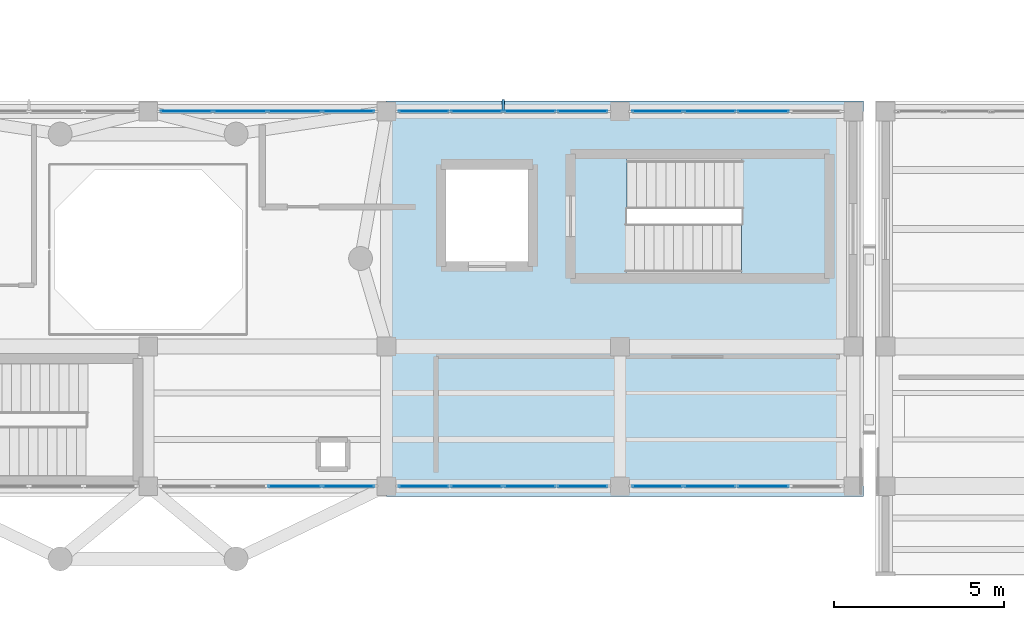
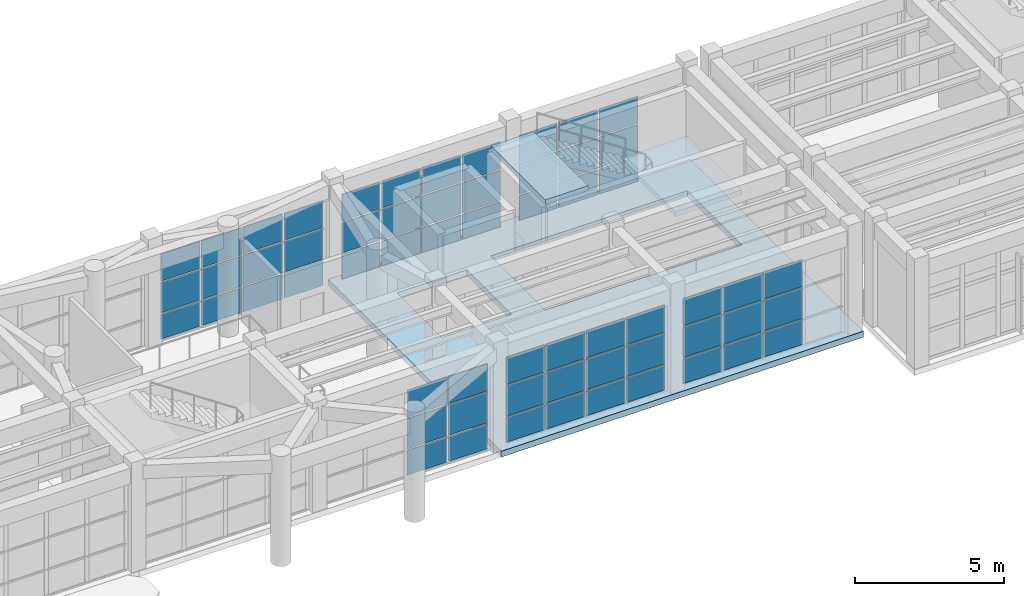
# One storey, part 54 of 85: 61 plates, 3 slabs, 7 elements without a shape of their own.
"""IFC4 building model written with IfcOpenShell, lengths in metres."""

import ifcopenshell
import ifcopenshell.guid

model = None  # the IFC model being written
_history = None  # IfcOwnerHistory: only IFC2X3 demands one
_inside = {}  # id of a spatial element -> (the spatial element, [elements in it])
_under = {}  # id of a project, library or spatial element -> (it, [spatial elements below it])
_declared = {}  # id of a project -> (the project, [libraries it declares])
_typed = {}  # id of a type object -> (the type object, [elements of that type])
_made_of = {}  # id of a material, layer set ... -> (it, [elements and type objects made of it])


def new_model(schema):
    """Start an empty IFC model of exactly this schema.

    Asked for "IFC4X3", IfcOpenShell would pick the latest addendum, in which some entities
    have other attributes; the version numbers below select the first issue.
    IFC2X3 requires an IfcOwnerHistory on every rooted entity: one is made here for all.
    """
    global model, _history
    if schema == "IFC4X3":
        model = ifcopenshell.file(schema_version=(4, 3, 0, 0))
    else:
        model = ifcopenshell.file(schema=schema)
    _inside.clear()
    _under.clear()
    _declared.clear()
    _typed.clear()
    _made_of.clear()
    _history = None
    if model.schema == "IFC2X3":
        org = make("IfcOrganization", Name="unknown")
        user = make(
            "IfcPersonAndOrganization",
            ThePerson=make("IfcPerson", FamilyName="unknown"),
            TheOrganization=org,
        )
        app = make(
            "IfcApplication",
            ApplicationDeveloper=org,
            Version="unknown",
            ApplicationFullName="unknown",
            ApplicationIdentifier="unknown",
        )
        _history = make(
            "IfcOwnerHistory",
            OwningUser=user,
            OwningApplication=app,
            ChangeAction="ADDED",
            CreationDate=0,
        )
    return model


def make(cls, **values):
    """One entity of the class cls with the attributes given. An attribute that is None is left unset."""
    return model.create_entity(
        cls, **{name: value for name, value in values.items() if value is not None}
    )


def rooted(cls, **values):
    """An entity with a GlobalId (a new one), such as an element, a storey or a relation."""
    return make(cls, GlobalId=ifcopenshell.guid.new(), OwnerHistory=_history, **values)


def si_unit(unit_type, name, prefix=None):
    """IfcSIUnit, for example si_unit("LENGTHUNIT", "METRE", prefix="MILLI")."""
    return make("IfcSIUnit", UnitType=unit_type, Prefix=prefix, Name=name)


def assignment(units):
    """IfcUnitAssignment: the units of a project."""
    return None if units is None else make("IfcUnitAssignment", Units=units)


def point(xyz):
    """IfcCartesianPoint."""
    return None if xyz is None else make("IfcCartesianPoint", Coordinates=xyz)


def direction(xyz):
    """IfcDirection."""
    return None if xyz is None else make("IfcDirection", DirectionRatios=xyz)


def frame(location, z_axis=None, x_axis=None):
    """IfcAxis2Placement3D, a coordinate frame: its origin and axes. An axis left out is left unset."""
    return make(
        "IfcAxis2Placement3D",
        Location=point(location),
        Axis=direction(z_axis),
        RefDirection=direction(x_axis),
    )


def frame_2d(location, x_axis=None):
    """IfcAxis2Placement2D, a coordinate frame in the plane: its origin and x axis."""
    return make(
        "IfcAxis2Placement2D", Location=point(location), RefDirection=direction(x_axis)
    )


def origin():
    """The frame at (0, 0, 0) with its axes left unset."""
    return frame((0.0, 0.0, 0.0))


def origin_2d():
    """The frame at (0, 0) in the plane with its x axis left unset."""
    return frame_2d((0.0, 0.0))


def place(relative_to, where):
    """IfcLocalPlacement: puts the frame where relative to a parent placement (None: the world)."""
    return make(
        "IfcLocalPlacement", PlacementRelTo=relative_to, RelativePlacement=where
    )


def context(
    kind, dimensions, precision=None, world=None, true_north=None, identifier=None
):
    """IfcGeometricRepresentationContext, for example the 3D "Model" context."""
    return make(
        "IfcGeometricRepresentationContext",
        ContextIdentifier=identifier,
        ContextType=kind,
        CoordinateSpaceDimension=dimensions,
        Precision=precision,
        WorldCoordinateSystem=world,
        TrueNorth=true_north,
    )


def subcontext(parent, identifier, kind, view, scale=None):
    """IfcGeometricRepresentationSubContext, for example "Body" below "Model"."""
    return make(
        "IfcGeometricRepresentationSubContext",
        ContextIdentifier=identifier,
        ContextType=kind,
        ParentContext=parent,
        TargetScale=scale,
        TargetView=view,
    )


def project(units=None, contexts=None):
    """IfcProject with its units and contexts."""
    return rooted(
        "IfcProject",
        Name="project",
        RepresentationContexts=contexts,
        UnitsInContext=assignment(units),
    )


def spatial(cls, under=None, at=None, **own):
    """A site, building, storey or space (cls), placed at a placement, below another one or the project."""
    s = rooted(cls, ObjectPlacement=at, **own)
    if under is not None:
        _under.setdefault(under.id(), (under, []))[1].append(s)
    return s


def polyline(points):
    """IfcPolyline through the points."""
    return make("IfcPolyline", Points=[point(p) for p in points])


def profile(cls, at=None, kind="AREA", **sizes):
    """A parametric profile (cls). Its sizes go by their IFC names, for example OverallWidth=200.0."""
    return make(cls, ProfileType=kind, Position=at, **sizes)


def rectangle(**sizes):
    """IfcRectangleProfileDef."""
    return profile("IfcRectangleProfileDef", **sizes)


def outline(outer, holes=None, kind="AREA"):
    """IfcArbitraryClosedProfileDef: a profile drawn as a closed curve; with holes, ...WithVoids."""
    if holes is None:
        return make("IfcArbitraryClosedProfileDef", ProfileType=kind, OuterCurve=outer)
    return make(
        "IfcArbitraryProfileDefWithVoids",
        ProfileType=kind,
        OuterCurve=outer,
        InnerCurves=holes,
    )


def extrude(swept, where, along, depth):
    """IfcExtrudedAreaSolid: the profile swept, set in the frame where, extruded along a direction by depth."""
    return make(
        "IfcExtrudedAreaSolid",
        SweptArea=swept,
        Position=where,
        ExtrudedDirection=direction(along),
        Depth=depth,
    )


def shape(context_of_items, identifier, shape_type, items):
    """IfcShapeRepresentation: the items that make up one representation, for example the "Body"."""
    return make(
        "IfcShapeRepresentation",
        ContextOfItems=context_of_items,
        RepresentationIdentifier=identifier,
        RepresentationType=shape_type,
        Items=items,
    )


def material(Name=None, Category=None):
    """IfcMaterial."""
    return make("IfcMaterial", Name=Name, Category=Category)


def layer(
    of_material, thickness, ventilated=None, Name=None, Category=None, Priority=None
):
    """IfcMaterialLayer: one layer of a wall or slab, of a material (None: an air gap)."""
    return make(
        "IfcMaterialLayer",
        Material=of_material,
        LayerThickness=thickness,
        IsVentilated=ventilated,
        Name=Name,
        Category=Category,
        Priority=Priority,
    )


def layer_set(layers, Name=None):
    """IfcMaterialLayerSet."""
    return make("IfcMaterialLayerSet", MaterialLayers=layers, LayerSetName=Name)


def made_of(thing, what):
    """Note that an element or type object is made of a material, layer set ...; save() writes the relation."""
    if what is not None:
        _made_of.setdefault(what.id(), (what, []))[1].append(thing)
    return thing


def type_object(cls, material=None, **own):
    """A type object (cls), such as IfcWallType, which elements share."""
    return made_of(rooted(cls, **own), material)


def element(
    cls,
    number,
    at=None,
    inside=None,
    cuts=None,
    type_object=None,
    material=None,
    context=None,
    identifier="Body",
    shape_type=None,
    held_by="IfcProductDefinitionShape",
    body=None,
    shapes=None,
    **own,
):
    """One element of the class cls, such as IfcWall. Its Tag is "e" and its number.

    at: its placement. inside: the storey or other place that contains it. cuts: it is an
    opening in that element (IfcRelVoidsElement). A single representation is given by context,
    identifier, shape_type and body (its items); several are given by shapes. held_by: the class
    of the entity that holds the representations. save() writes the other relations.
    """
    e = rooted(cls, Tag="e%d" % number, ObjectPlacement=at, **own)
    if body is not None:
        shapes = [shape(context, identifier, shape_type, body)]
    if shapes is not None:
        e.Representation = make(held_by, Representations=shapes)
    if inside is not None:
        _inside.setdefault(inside.id(), (inside, []))[1].append(e)
    if cuts is not None:
        rooted(
            "IfcRelVoidsElement", RelatingBuildingElement=cuts, RelatedOpeningElement=e
        )
    if type_object is not None:
        _typed.setdefault(type_object.id(), (type_object, []))[1].append(e)
    return made_of(e, material)


def aggregate(whole, parts):
    """IfcRelAggregates: a whole, such as a stair, and the parts it consists of."""
    return rooted("IfcRelAggregates", RelatingObject=whole, RelatedObjects=parts)


def save(model, path):
    """Write the relations noted so far, then the file.

    IfcRelAggregates (storeys below a building ...), IfcRelContainedInSpatialStructure (elements
    in a storey), IfcRelDefinesByType, IfcRelAssociatesMaterial and IfcRelDeclares: one each for
    every whole, place, type object, material and project.
    """
    for whole, parts in _under.values():
        aggregate(whole, parts)
    for where, things in _inside.values():
        rooted(
            "IfcRelContainedInSpatialStructure",
            RelatedElements=things,
            RelatingStructure=where,
        )
    for kind, things in _typed.values():
        rooted("IfcRelDefinesByType", RelatedObjects=things, RelatingType=kind)
    for what, things in _made_of.values():
        rooted("IfcRelAssociatesMaterial", RelatedObjects=things, RelatingMaterial=what)
    for by, libraries in _declared.values():
        rooted("IfcRelDeclares", RelatingContext=by, RelatedDefinitions=libraries)
    model.write(path)


model = new_model("IFC4")

# Units and contexts
model_context = context("Model", 3, precision=1e-05, world=origin(), true_north=direction((0.0, 1.0)))
body_context = subcontext(model_context, "Body", "Model", "MODEL_VIEW")
ifc_project = project(units=[si_unit("LENGTHUNIT", "METRE"), si_unit("AREAUNIT", "SQUARE_METRE"), si_unit("VOLUMEUNIT", "CUBIC_METRE"), si_unit("PLANEANGLEUNIT", "RADIAN"), si_unit("MASSUNIT", "GRAM", prefix="KILO")], contexts=[model_context])

# Site, building, storey
site_placement = place(None, origin())
site = spatial("IfcSite", under=ifc_project, at=site_placement, CompositionType="ELEMENT")
building_placement = place(site_placement, origin())
building = spatial("IfcBuilding", under=site, at=building_placement, Name="Candilejo Ridge Gondola Terminal", CompositionType="ELEMENT")
storey_placement = place(building_placement, frame((0.0, 0.0, 4.5)))
storey = spatial("IfcBuildingStorey", under=building, at=storey_placement, Name="L01", CompositionType="ELEMENT", Elevation=4.5)

# Curtain wall, plates
ifc_material_1 = material(Name="Anodised aluminium AA 6063-T6", Category="aluminium")
ifc_layer_1 = layer(ifc_material_1, 0.169921875)
ifc_layer_set_1 = layer_set([ifc_layer_1], Name="ARC-CW-DRUM-3400-640X359")
curtain_wall_type_1 = type_object("IfcCurtainWallType", Name="ARC-CW-DRUM-3400-640X359", PredefinedType="NOTDEFINED", material=ifc_layer_set_1)
curtain_wall_1_placement = place(storey_placement, origin())
curtain_wall_1 = element("IfcCurtainWall", 1, at=curtain_wall_1_placement, inside=storey, type_object=curtain_wall_type_1, Name="Curtain wall V2 L01-040", PredefinedType="NOTDEFINED")
ifc_material_2 = material(Name="Low-E laminated double glazing 6+12A+6+1.52PVB+6 mm", Category="glass")
ifc_layer_2 = layer(ifc_material_2, 0.028076171875)
ifc_layer_set_2 = layer_set([ifc_layer_2], Name="ARC-CW-GLAZ-PANEL")
plate_type_1 = type_object("IfcPlateType", Name="ARC-CW-GLAZ-PANEL", PredefinedType="CURTAIN_PANEL", material=ifc_layer_set_2)
plate_1_placement = place(storey_placement, frame((66.46630859375, 36.699951171875, 0.06005859375), z_axis=(0.0, 0.0, 1.0), x_axis=(1.0, 0.0, 0.0)))
plate_1 = element("IfcPlate", 2, at=plate_1_placement, type_object=plate_type_1, Name="CW-64X35 panel 1.1", PredefinedType="CURTAIN_PANEL", context=body_context, shape_type="SweptSolid", body=[
    extrude(rectangle(XDim=1.50244140625, YDim=0.028076171875, at=origin_2d()), origin(), (0.0, 0.0, 1.0), 1.010009765625),
])
plate_2_placement = place(storey_placement, frame((66.46630859375, 36.699951171875, 1.1298828125), z_axis=(0.0, 0.0, 1.0), x_axis=(1.0, 0.0, 0.0)))
plate_2 = element("IfcPlate", 3, at=plate_2_placement, type_object=plate_type_1, Name="CW-64X35 panel 1.2", PredefinedType="CURTAIN_PANEL", context=body_context, shape_type="SweptSolid", body=[
    extrude(rectangle(XDim=1.50244140625, YDim=0.028076171875, at=origin_2d()), origin(), (0.0, 0.0, 1.0), 1.239990234375),
])
plate_3_placement = place(storey_placement, frame((66.46630859375, 36.699951171875, 2.429931640625), z_axis=(0.0, 0.0, 1.0), x_axis=(1.0, 0.0, 0.0)))
plate_3 = element("IfcPlate", 4, at=plate_3_placement, type_object=plate_type_1, Name="CW-64X35 panel 1.3", PredefinedType="CURTAIN_PANEL", context=body_context, shape_type="SweptSolid", body=[
    extrude(rectangle(XDim=1.50244140625, YDim=0.028076171875, at=origin_2d()), origin(), (0.0, 0.0, 1.0), 1.10009765625),
])
plate_4_placement = place(storey_placement, frame((68.050048828125, 36.699951171875, 0.06005859375), z_axis=(0.0, 0.0, 1.0), x_axis=(1.0, 0.0, 0.0)))
plate_4 = element("IfcPlate", 5, at=plate_4_placement, type_object=plate_type_1, Name="CW-64X35 panel 2.1", PredefinedType="CURTAIN_PANEL", context=body_context, shape_type="SweptSolid", body=[
    extrude(rectangle(XDim=1.534912109375, YDim=0.028076171875, at=origin_2d()), origin(), (0.0, 0.0, 1.0), 1.010009765625),
])
plate_5_placement = place(storey_placement, frame((68.050048828125, 36.699951171875, 1.1298828125), z_axis=(0.0, 0.0, 1.0), x_axis=(1.0, 0.0, 0.0)))
plate_5 = element("IfcPlate", 6, at=plate_5_placement, type_object=plate_type_1, Name="CW-64X35 panel 2.2", PredefinedType="CURTAIN_PANEL", context=body_context, shape_type="SweptSolid", body=[
    extrude(rectangle(XDim=1.534912109375, YDim=0.028076171875, at=origin_2d()), origin(), (0.0, 0.0, 1.0), 1.239990234375),
])
plate_6_placement = place(storey_placement, frame((68.050048828125, 36.699951171875, 2.429931640625), z_axis=(0.0, 0.0, 1.0), x_axis=(1.0, 0.0, 0.0)))
plate_6 = element("IfcPlate", 7, at=plate_6_placement, type_object=plate_type_1, Name="CW-64X35 panel 2.3", PredefinedType="CURTAIN_PANEL", context=body_context, shape_type="SweptSolid", body=[
    extrude(rectangle(XDim=1.534912109375, YDim=0.028076171875, at=origin_2d()), origin(), (0.0, 0.0, 1.0), 1.10009765625),
])
plate_7_placement = place(storey_placement, frame((69.64990234375, 36.699951171875, 0.06005859375), z_axis=(0.0, 0.0, 1.0), x_axis=(1.0, 0.0, 0.0)))
plate_7 = element("IfcPlate", 8, at=plate_7_placement, type_object=plate_type_1, Name="CW-64X35 panel 3.1", PredefinedType="CURTAIN_PANEL", context=body_context, shape_type="SweptSolid", body=[
    extrude(rectangle(XDim=1.534912109375, YDim=0.028076171875, at=origin_2d()), origin(), (0.0, 0.0, 1.0), 1.010009765625),
])
plate_8_placement = place(storey_placement, frame((69.64990234375, 36.699951171875, 1.1298828125), z_axis=(0.0, 0.0, 1.0), x_axis=(1.0, 0.0, 0.0)))
plate_8 = element("IfcPlate", 9, at=plate_8_placement, type_object=plate_type_1, Name="CW-64X35 panel 3.2", PredefinedType="CURTAIN_PANEL", context=body_context, shape_type="SweptSolid", body=[
    extrude(rectangle(XDim=1.534912109375, YDim=0.028076171875, at=origin_2d()), origin(), (0.0, 0.0, 1.0), 1.239990234375),
])
plate_9_placement = place(storey_placement, frame((69.64990234375, 36.699951171875, 2.429931640625), z_axis=(0.0, 0.0, 1.0), x_axis=(1.0, 0.0, 0.0)))
plate_9 = element("IfcPlate", 10, at=plate_9_placement, type_object=plate_type_1, Name="CW-64X35 panel 3.3", PredefinedType="CURTAIN_PANEL", context=body_context, shape_type="SweptSolid", body=[
    extrude(rectangle(XDim=1.534912109375, YDim=0.028076171875, at=origin_2d()), origin(), (0.0, 0.0, 1.0), 1.10009765625),
])
plate_10_placement = place(storey_placement, frame((71.233642578125, 36.699951171875, 0.06005859375), z_axis=(0.0, 0.0, 1.0), x_axis=(1.0, 0.0, 0.0)))
plate_10 = element("IfcPlate", 11, at=plate_10_placement, type_object=plate_type_1, Name="CW-64X35 panel 4.1", PredefinedType="CURTAIN_PANEL", context=body_context, shape_type="SweptSolid", body=[
    extrude(rectangle(XDim=1.50244140625, YDim=0.028076171875, at=origin_2d()), origin(), (0.0, 0.0, 1.0), 1.010009765625),
])
plate_11_placement = place(storey_placement, frame((71.233642578125, 36.699951171875, 1.1298828125), z_axis=(0.0, 0.0, 1.0), x_axis=(1.0, 0.0, 0.0)))
plate_11 = element("IfcPlate", 12, at=plate_11_placement, type_object=plate_type_1, Name="CW-64X35 panel 4.2", PredefinedType="CURTAIN_PANEL", context=body_context, shape_type="SweptSolid", body=[
    extrude(rectangle(XDim=1.50244140625, YDim=0.028076171875, at=origin_2d()), origin(), (0.0, 0.0, 1.0), 1.239990234375),
])
plate_12_placement = place(storey_placement, frame((71.233642578125, 36.699951171875, 2.429931640625), z_axis=(0.0, 0.0, 1.0), x_axis=(1.0, 0.0, 0.0)))
plate_12 = element("IfcPlate", 13, at=plate_12_placement, type_object=plate_type_1, Name="CW-64X35 panel 4.3", PredefinedType="CURTAIN_PANEL", context=body_context, shape_type="SweptSolid", body=[
    extrude(rectangle(XDim=1.50244140625, YDim=0.028076171875, at=origin_2d()), origin(), (0.0, 0.0, 1.0), 1.10009765625),
])
aggregate(curtain_wall_1, [plate_1, plate_2, plate_3, plate_4, plate_5, plate_6, plate_7, plate_8, plate_9, plate_10, plate_11, plate_12])

curtain_wall_2_placement = place(storey_placement, origin())
curtain_wall_2 = element("IfcCurtainWall", 14, at=curtain_wall_2_placement, inside=storey, type_object=curtain_wall_type_1, Name="Curtain wall V2 L01-041", PredefinedType="NOTDEFINED")
plate_13_placement = place(storey_placement, frame((69.64990234375, 25.699951171875, 0.06005859375), z_axis=(0.0, 0.0, 1.0), x_axis=(1.0, 0.0, 0.0)))
plate_13 = element("IfcPlate", 15, at=plate_13_placement, type_object=plate_type_1, Name="CW-64X35 panel 3.1", PredefinedType="CURTAIN_PANEL", context=body_context, shape_type="SweptSolid", body=[
    extrude(rectangle(XDim=1.534912109375, YDim=0.028076171875, at=origin_2d()), origin(), (0.0, 0.0, 1.0), 1.010009765625),
])
plate_14_placement = place(storey_placement, frame((69.64990234375, 25.699951171875, 1.1298828125), z_axis=(0.0, 0.0, 1.0), x_axis=(1.0, 0.0, 0.0)))
plate_14 = element("IfcPlate", 16, at=plate_14_placement, type_object=plate_type_1, Name="CW-64X35 panel 3.2", PredefinedType="CURTAIN_PANEL", context=body_context, shape_type="SweptSolid", body=[
    extrude(rectangle(XDim=1.534912109375, YDim=0.028076171875, at=origin_2d()), origin(), (0.0, 0.0, 1.0), 1.239990234375),
])
plate_15_placement = place(storey_placement, frame((69.64990234375, 25.699951171875, 2.429931640625), z_axis=(0.0, 0.0, 1.0), x_axis=(1.0, 0.0, 0.0)))
plate_15 = element("IfcPlate", 17, at=plate_15_placement, type_object=plate_type_1, Name="CW-64X35 panel 3.3", PredefinedType="CURTAIN_PANEL", context=body_context, shape_type="SweptSolid", body=[
    extrude(rectangle(XDim=1.534912109375, YDim=0.028076171875, at=origin_2d()), origin(), (0.0, 0.0, 1.0), 1.10009765625),
])
plate_16_placement = place(storey_placement, frame((71.233642578125, 25.699951171875, 0.06005859375), z_axis=(0.0, 0.0, 1.0), x_axis=(1.0, 0.0, 0.0)))
plate_16 = element("IfcPlate", 18, at=plate_16_placement, type_object=plate_type_1, Name="CW-64X35 panel 4.1", PredefinedType="CURTAIN_PANEL", context=body_context, shape_type="SweptSolid", body=[
    extrude(rectangle(XDim=1.50244140625, YDim=0.028076171875, at=origin_2d()), origin(), (0.0, 0.0, 1.0), 1.010009765625),
])
plate_17_placement = place(storey_placement, frame((71.233642578125, 25.699951171875, 1.1298828125), z_axis=(0.0, 0.0, 1.0), x_axis=(1.0, 0.0, 0.0)))
plate_17 = element("IfcPlate", 19, at=plate_17_placement, type_object=plate_type_1, Name="CW-64X35 panel 4.2", PredefinedType="CURTAIN_PANEL", context=body_context, shape_type="SweptSolid", body=[
    extrude(rectangle(XDim=1.50244140625, YDim=0.028076171875, at=origin_2d()), origin(), (0.0, 0.0, 1.0), 1.239990234375),
])
plate_18_placement = place(storey_placement, frame((71.233642578125, 25.699951171875, 2.429931640625), z_axis=(0.0, 0.0, 1.0), x_axis=(1.0, 0.0, 0.0)))
plate_18 = element("IfcPlate", 20, at=plate_18_placement, type_object=plate_type_1, Name="CW-64X35 panel 4.3", PredefinedType="CURTAIN_PANEL", context=body_context, shape_type="SweptSolid", body=[
    extrude(rectangle(XDim=1.50244140625, YDim=0.028076171875, at=origin_2d()), origin(), (0.0, 0.0, 1.0), 1.10009765625),
])
aggregate(curtain_wall_2, [plate_13, plate_14, plate_15, plate_16, plate_17, plate_18])

ifc_material_3 = material(Name="Anodised aluminium AA 6063-T6", Category="aluminium")
ifc_layer_3 = layer(ifc_material_3, 0.169921875)
ifc_layer_set_3 = layer_set([ifc_layer_3], Name="ARC-CW-DRUM-3400-625X359")
curtain_wall_type_2 = type_object("IfcCurtainWallType", Name="ARC-CW-DRUM-3400-625X359", PredefinedType="NOTDEFINED", material=ifc_layer_set_3)
curtain_wall_3_placement = place(storey_placement, origin())
curtain_wall_3 = element("IfcCurtainWall", 21, at=curtain_wall_3_placement, inside=storey, type_object=curtain_wall_type_2, Name="Curtain wall V2 L01-042", PredefinedType="NOTDEFINED")
plate_19_placement = place(storey_placement, frame((73.447509765625, 36.699951171875, 0.06005859375), z_axis=(0.0, 0.0, 1.0), x_axis=(1.0, 0.0, 0.0)))
plate_19 = element("IfcPlate", 22, at=plate_19_placement, type_object=plate_type_1, Name="CW-62X35 panel 1.1", PredefinedType="CURTAIN_PANEL", context=body_context, shape_type="SweptSolid", body=[
    extrude(rectangle(XDim=1.465087890625, YDim=0.028076171875, at=origin_2d()), origin(), (0.0, 0.0, 1.0), 1.010009765625),
])
plate_20_placement = place(storey_placement, frame((73.447509765625, 36.699951171875, 1.1298828125), z_axis=(0.0, 0.0, 1.0), x_axis=(1.0, 0.0, 0.0)))
plate_20 = element("IfcPlate", 23, at=plate_20_placement, type_object=plate_type_1, Name="CW-62X35 panel 1.2", PredefinedType="CURTAIN_PANEL", context=body_context, shape_type="SweptSolid", body=[
    extrude(rectangle(XDim=1.465087890625, YDim=0.028076171875, at=origin_2d()), origin(), (0.0, 0.0, 1.0), 1.239990234375),
])
plate_21_placement = place(storey_placement, frame((73.447509765625, 36.699951171875, 2.429931640625), z_axis=(0.0, 0.0, 1.0), x_axis=(1.0, 0.0, 0.0)))
plate_21 = element("IfcPlate", 24, at=plate_21_placement, type_object=plate_type_1, Name="CW-62X35 panel 1.3", PredefinedType="CURTAIN_PANEL", context=body_context, shape_type="SweptSolid", body=[
    extrude(rectangle(XDim=1.465087890625, YDim=0.028076171875, at=origin_2d()), origin(), (0.0, 0.0, 1.0), 1.10009765625),
])
plate_22_placement = place(storey_placement, frame((74.99365234375, 36.699951171875, 0.06005859375), z_axis=(0.0, 0.0, 1.0), x_axis=(1.0, 0.0, 0.0)))
plate_22 = element("IfcPlate", 25, at=plate_22_placement, type_object=plate_type_1, Name="CW-62X35 panel 2.1", PredefinedType="CURTAIN_PANEL", context=body_context, shape_type="SweptSolid", body=[
    extrude(rectangle(XDim=1.49755859375, YDim=0.028076171875, at=origin_2d()), origin(), (0.0, 0.0, 1.0), 1.010009765625),
])
plate_23_placement = place(storey_placement, frame((74.99365234375, 36.699951171875, 1.1298828125), z_axis=(0.0, 0.0, 1.0), x_axis=(1.0, 0.0, 0.0)))
plate_23 = element("IfcPlate", 26, at=plate_23_placement, type_object=plate_type_1, Name="CW-62X35 panel 2.2", PredefinedType="CURTAIN_PANEL", context=body_context, shape_type="SweptSolid", body=[
    extrude(rectangle(XDim=1.49755859375, YDim=0.028076171875, at=origin_2d()), origin(), (0.0, 0.0, 1.0), 1.239990234375),
])
plate_24_placement = place(storey_placement, frame((74.99365234375, 36.699951171875, 2.429931640625), z_axis=(0.0, 0.0, 1.0), x_axis=(1.0, 0.0, 0.0)))
plate_24 = element("IfcPlate", 27, at=plate_24_placement, type_object=plate_type_1, Name="CW-62X35 panel 2.3", PredefinedType="CURTAIN_PANEL", context=body_context, shape_type="SweptSolid", body=[
    extrude(rectangle(XDim=1.49755859375, YDim=0.028076171875, at=origin_2d()), origin(), (0.0, 0.0, 1.0), 1.10009765625),
])
plate_25_placement = place(storey_placement, frame((76.55615234375, 36.699951171875, 0.06005859375), z_axis=(0.0, 0.0, 1.0), x_axis=(1.0, 0.0, 0.0)))
plate_25 = element("IfcPlate", 28, at=plate_25_placement, type_object=plate_type_1, Name="CW-62X35 panel 3.1", PredefinedType="CURTAIN_PANEL", context=body_context, shape_type="SweptSolid", body=[
    extrude(rectangle(XDim=1.49755859375, YDim=0.028076171875, at=origin_2d()), origin(), (0.0, 0.0, 1.0), 1.010009765625),
])
plate_26_placement = place(storey_placement, frame((76.55615234375, 36.699951171875, 1.1298828125), z_axis=(0.0, 0.0, 1.0), x_axis=(1.0, 0.0, 0.0)))
plate_26 = element("IfcPlate", 29, at=plate_26_placement, type_object=plate_type_1, Name="CW-62X35 panel 3.2", PredefinedType="CURTAIN_PANEL", context=body_context, shape_type="SweptSolid", body=[
    extrude(rectangle(XDim=1.49755859375, YDim=0.028076171875, at=origin_2d()), origin(), (0.0, 0.0, 1.0), 1.239990234375),
])
plate_27_placement = place(storey_placement, frame((76.55615234375, 36.699951171875, 2.429931640625), z_axis=(0.0, 0.0, 1.0), x_axis=(1.0, 0.0, 0.0)))
plate_27 = element("IfcPlate", 30, at=plate_27_placement, type_object=plate_type_1, Name="CW-62X35 panel 3.3", PredefinedType="CURTAIN_PANEL", context=body_context, shape_type="SweptSolid", body=[
    extrude(rectangle(XDim=1.49755859375, YDim=0.028076171875, at=origin_2d()), origin(), (0.0, 0.0, 1.0), 1.10009765625),
])
plate_28_placement = place(storey_placement, frame((78.1025390625, 36.699951171875, 0.06005859375), z_axis=(0.0, 0.0, 1.0), x_axis=(1.0, 0.0, 0.0)))
plate_28 = element("IfcPlate", 31, at=plate_28_placement, type_object=plate_type_1, Name="CW-62X35 panel 4.1", PredefinedType="CURTAIN_PANEL", context=body_context, shape_type="SweptSolid", body=[
    extrude(rectangle(XDim=1.465087890625, YDim=0.028076171875, at=origin_2d()), origin(), (0.0, 0.0, 1.0), 1.010009765625),
])
plate_29_placement = place(storey_placement, frame((78.1025390625, 36.699951171875, 1.1298828125), z_axis=(0.0, 0.0, 1.0), x_axis=(1.0, 0.0, 0.0)))
plate_29 = element("IfcPlate", 32, at=plate_29_placement, type_object=plate_type_1, Name="CW-62X35 panel 4.2", PredefinedType="CURTAIN_PANEL", context=body_context, shape_type="SweptSolid", body=[
    extrude(rectangle(XDim=1.465087890625, YDim=0.028076171875, at=origin_2d()), origin(), (0.0, 0.0, 1.0), 1.239990234375),
])
plate_30_placement = place(storey_placement, frame((78.1025390625, 36.699951171875, 2.429931640625), z_axis=(0.0, 0.0, 1.0), x_axis=(1.0, 0.0, 0.0)))
plate_30 = element("IfcPlate", 33, at=plate_30_placement, type_object=plate_type_1, Name="CW-62X35 panel 4.3", PredefinedType="CURTAIN_PANEL", context=body_context, shape_type="SweptSolid", body=[
    extrude(rectangle(XDim=1.465087890625, YDim=0.028076171875, at=origin_2d()), origin(), (0.0, 0.0, 1.0), 1.10009765625),
])
aggregate(curtain_wall_3, [plate_19, plate_20, plate_21, plate_22, plate_23, plate_24, plate_25, plate_26, plate_27, plate_28, plate_29, plate_30])

curtain_wall_4_placement = place(storey_placement, origin())
curtain_wall_4 = element("IfcCurtainWall", 34, at=curtain_wall_4_placement, inside=storey, type_object=curtain_wall_type_2, Name="Curtain wall V2 L01-043", PredefinedType="NOTDEFINED")
plate_31_placement = place(storey_placement, frame((73.447509765625, 25.699951171875, 0.06005859375), z_axis=(0.0, 0.0, 1.0), x_axis=(1.0, 0.0, 0.0)))
plate_31 = element("IfcPlate", 35, at=plate_31_placement, type_object=plate_type_1, Name="CW-62X35 panel 1.1", PredefinedType="CURTAIN_PANEL", context=body_context, shape_type="SweptSolid", body=[
    extrude(rectangle(XDim=1.465087890625, YDim=0.028076171875, at=origin_2d()), origin(), (0.0, 0.0, 1.0), 1.010009765625),
])
plate_32_placement = place(storey_placement, frame((73.447509765625, 25.699951171875, 1.1298828125), z_axis=(0.0, 0.0, 1.0), x_axis=(1.0, 0.0, 0.0)))
plate_32 = element("IfcPlate", 36, at=plate_32_placement, type_object=plate_type_1, Name="CW-62X35 panel 1.2", PredefinedType="CURTAIN_PANEL", context=body_context, shape_type="SweptSolid", body=[
    extrude(rectangle(XDim=1.465087890625, YDim=0.028076171875, at=origin_2d()), origin(), (0.0, 0.0, 1.0), 1.239990234375),
])
plate_33_placement = place(storey_placement, frame((73.447509765625, 25.699951171875, 2.429931640625), z_axis=(0.0, 0.0, 1.0), x_axis=(1.0, 0.0, 0.0)))
plate_33 = element("IfcPlate", 37, at=plate_33_placement, type_object=plate_type_1, Name="CW-62X35 panel 1.3", PredefinedType="CURTAIN_PANEL", context=body_context, shape_type="SweptSolid", body=[
    extrude(rectangle(XDim=1.465087890625, YDim=0.028076171875, at=origin_2d()), origin(), (0.0, 0.0, 1.0), 1.10009765625),
])
plate_34_placement = place(storey_placement, frame((74.99365234375, 25.699951171875, 0.06005859375), z_axis=(0.0, 0.0, 1.0), x_axis=(1.0, 0.0, 0.0)))
plate_34 = element("IfcPlate", 38, at=plate_34_placement, type_object=plate_type_1, Name="CW-62X35 panel 2.1", PredefinedType="CURTAIN_PANEL", context=body_context, shape_type="SweptSolid", body=[
    extrude(rectangle(XDim=1.49755859375, YDim=0.028076171875, at=origin_2d()), origin(), (0.0, 0.0, 1.0), 1.010009765625),
])
plate_35_placement = place(storey_placement, frame((74.99365234375, 25.699951171875, 1.1298828125), z_axis=(0.0, 0.0, 1.0), x_axis=(1.0, 0.0, 0.0)))
plate_35 = element("IfcPlate", 39, at=plate_35_placement, type_object=plate_type_1, Name="CW-62X35 panel 2.2", PredefinedType="CURTAIN_PANEL", context=body_context, shape_type="SweptSolid", body=[
    extrude(rectangle(XDim=1.49755859375, YDim=0.028076171875, at=origin_2d()), origin(), (0.0, 0.0, 1.0), 1.239990234375),
])
plate_36_placement = place(storey_placement, frame((74.99365234375, 25.699951171875, 2.429931640625), z_axis=(0.0, 0.0, 1.0), x_axis=(1.0, 0.0, 0.0)))
plate_36 = element("IfcPlate", 40, at=plate_36_placement, type_object=plate_type_1, Name="CW-62X35 panel 2.3", PredefinedType="CURTAIN_PANEL", context=body_context, shape_type="SweptSolid", body=[
    extrude(rectangle(XDim=1.49755859375, YDim=0.028076171875, at=origin_2d()), origin(), (0.0, 0.0, 1.0), 1.10009765625),
])
plate_37_placement = place(storey_placement, frame((76.55615234375, 25.699951171875, 0.06005859375), z_axis=(0.0, 0.0, 1.0), x_axis=(1.0, 0.0, 0.0)))
plate_37 = element("IfcPlate", 41, at=plate_37_placement, type_object=plate_type_1, Name="CW-62X35 panel 3.1", PredefinedType="CURTAIN_PANEL", context=body_context, shape_type="SweptSolid", body=[
    extrude(rectangle(XDim=1.49755859375, YDim=0.028076171875, at=origin_2d()), origin(), (0.0, 0.0, 1.0), 1.010009765625),
])
plate_38_placement = place(storey_placement, frame((76.55615234375, 25.699951171875, 1.1298828125), z_axis=(0.0, 0.0, 1.0), x_axis=(1.0, 0.0, 0.0)))
plate_38 = element("IfcPlate", 42, at=plate_38_placement, type_object=plate_type_1, Name="CW-62X35 panel 3.2", PredefinedType="CURTAIN_PANEL", context=body_context, shape_type="SweptSolid", body=[
    extrude(rectangle(XDim=1.49755859375, YDim=0.028076171875, at=origin_2d()), origin(), (0.0, 0.0, 1.0), 1.239990234375),
])
plate_39_placement = place(storey_placement, frame((76.55615234375, 25.699951171875, 2.429931640625), z_axis=(0.0, 0.0, 1.0), x_axis=(1.0, 0.0, 0.0)))
plate_39 = element("IfcPlate", 43, at=plate_39_placement, type_object=plate_type_1, Name="CW-62X35 panel 3.3", PredefinedType="CURTAIN_PANEL", context=body_context, shape_type="SweptSolid", body=[
    extrude(rectangle(XDim=1.49755859375, YDim=0.028076171875, at=origin_2d()), origin(), (0.0, 0.0, 1.0), 1.10009765625),
])
plate_40_placement = place(storey_placement, frame((78.1025390625, 25.699951171875, 0.06005859375), z_axis=(0.0, 0.0, 1.0), x_axis=(1.0, 0.0, 0.0)))
plate_40 = element("IfcPlate", 44, at=plate_40_placement, type_object=plate_type_1, Name="CW-62X35 panel 4.1", PredefinedType="CURTAIN_PANEL", context=body_context, shape_type="SweptSolid", body=[
    extrude(rectangle(XDim=1.465087890625, YDim=0.028076171875, at=origin_2d()), origin(), (0.0, 0.0, 1.0), 1.010009765625),
])
plate_41_placement = place(storey_placement, frame((78.1025390625, 25.699951171875, 1.1298828125), z_axis=(0.0, 0.0, 1.0), x_axis=(1.0, 0.0, 0.0)))
plate_41 = element("IfcPlate", 45, at=plate_41_placement, type_object=plate_type_1, Name="CW-62X35 panel 4.2", PredefinedType="CURTAIN_PANEL", context=body_context, shape_type="SweptSolid", body=[
    extrude(rectangle(XDim=1.465087890625, YDim=0.028076171875, at=origin_2d()), origin(), (0.0, 0.0, 1.0), 1.239990234375),
])
plate_42_placement = place(storey_placement, frame((78.1025390625, 25.699951171875, 2.429931640625), z_axis=(0.0, 0.0, 1.0), x_axis=(1.0, 0.0, 0.0)))
plate_42 = element("IfcPlate", 46, at=plate_42_placement, type_object=plate_type_1, Name="CW-62X35 panel 4.3", PredefinedType="CURTAIN_PANEL", context=body_context, shape_type="SweptSolid", body=[
    extrude(rectangle(XDim=1.465087890625, YDim=0.028076171875, at=origin_2d()), origin(), (0.0, 0.0, 1.0), 1.10009765625),
])
aggregate(curtain_wall_4, [plate_31, plate_32, plate_33, plate_34, plate_35, plate_36, plate_37, plate_38, plate_39, plate_40, plate_41, plate_42])

curtain_wall_5_placement = place(storey_placement, origin())
curtain_wall_5 = element("IfcCurtainWall", 47, at=curtain_wall_5_placement, inside=storey, type_object=curtain_wall_type_2, Name="Curtain wall V2 L01-044", PredefinedType="NOTDEFINED")
plate_43_placement = place(storey_placement, frame((80.297607421875, 36.699951171875, 0.06005859375), z_axis=(0.0, 0.0, 1.0), x_axis=(1.0, 0.0, 0.0)))
plate_43 = element("IfcPlate", 48, at=plate_43_placement, type_object=plate_type_1, Name="CW-62X35 panel 1.1", PredefinedType="CURTAIN_PANEL", context=body_context, shape_type="SweptSolid", body=[
    extrude(rectangle(XDim=1.465087890625, YDim=0.028076171875, at=origin_2d()), origin(), (0.0, 0.0, 1.0), 1.010009765625),
])
plate_44_placement = place(storey_placement, frame((80.297607421875, 36.699951171875, 1.1298828125), z_axis=(0.0, 0.0, 1.0), x_axis=(1.0, 0.0, 0.0)))
plate_44 = element("IfcPlate", 49, at=plate_44_placement, type_object=plate_type_1, Name="CW-62X35 panel 1.2", PredefinedType="CURTAIN_PANEL", context=body_context, shape_type="SweptSolid", body=[
    extrude(rectangle(XDim=1.465087890625, YDim=0.028076171875, at=origin_2d()), origin(), (0.0, 0.0, 1.0), 1.239990234375),
])
plate_45_placement = place(storey_placement, frame((80.297607421875, 36.699951171875, 2.429931640625), z_axis=(0.0, 0.0, 1.0), x_axis=(1.0, 0.0, 0.0)))
plate_45 = element("IfcPlate", 50, at=plate_45_placement, type_object=plate_type_1, Name="CW-62X35 panel 1.3", PredefinedType="CURTAIN_PANEL", context=body_context, shape_type="SweptSolid", body=[
    extrude(rectangle(XDim=1.465087890625, YDim=0.028076171875, at=origin_2d()), origin(), (0.0, 0.0, 1.0), 1.10009765625),
])
plate_46_placement = place(storey_placement, frame((81.84375, 36.699951171875, 0.06005859375), z_axis=(0.0, 0.0, 1.0), x_axis=(1.0, 0.0, 0.0)))
plate_46 = element("IfcPlate", 51, at=plate_46_placement, type_object=plate_type_1, Name="CW-62X35 panel 2.1", PredefinedType="CURTAIN_PANEL", context=body_context, shape_type="SweptSolid", body=[
    extrude(rectangle(XDim=1.49755859375, YDim=0.028076171875, at=origin_2d()), origin(), (0.0, 0.0, 1.0), 1.010009765625),
])
plate_47_placement = place(storey_placement, frame((81.84375, 36.699951171875, 1.1298828125), z_axis=(0.0, 0.0, 1.0), x_axis=(1.0, 0.0, 0.0)))
plate_47 = element("IfcPlate", 52, at=plate_47_placement, type_object=plate_type_1, Name="CW-62X35 panel 2.2", PredefinedType="CURTAIN_PANEL", context=body_context, shape_type="SweptSolid", body=[
    extrude(rectangle(XDim=1.49755859375, YDim=0.028076171875, at=origin_2d()), origin(), (0.0, 0.0, 1.0), 1.239990234375),
])
plate_48_placement = place(storey_placement, frame((81.84375, 36.699951171875, 2.429931640625), z_axis=(0.0, 0.0, 1.0), x_axis=(1.0, 0.0, 0.0)))
plate_48 = element("IfcPlate", 53, at=plate_48_placement, type_object=plate_type_1, Name="CW-62X35 panel 2.3", PredefinedType="CURTAIN_PANEL", context=body_context, shape_type="SweptSolid", body=[
    extrude(rectangle(XDim=1.49755859375, YDim=0.028076171875, at=origin_2d()), origin(), (0.0, 0.0, 1.0), 1.10009765625),
])
plate_49_placement = place(storey_placement, frame((83.40625, 36.699951171875, 0.06005859375), z_axis=(0.0, 0.0, 1.0), x_axis=(1.0, 0.0, 0.0)))
plate_49 = element("IfcPlate", 54, at=plate_49_placement, type_object=plate_type_1, Name="CW-62X35 panel 3.1", PredefinedType="CURTAIN_PANEL", context=body_context, shape_type="SweptSolid", body=[
    extrude(rectangle(XDim=1.49755859375, YDim=0.028076171875, at=origin_2d()), origin(), (0.0, 0.0, 1.0), 1.010009765625),
])
plate_50_placement = place(storey_placement, frame((83.40625, 36.699951171875, 1.1298828125), z_axis=(0.0, 0.0, 1.0), x_axis=(1.0, 0.0, 0.0)))
plate_50 = element("IfcPlate", 55, at=plate_50_placement, type_object=plate_type_1, Name="CW-62X35 panel 3.2", PredefinedType="CURTAIN_PANEL", context=body_context, shape_type="SweptSolid", body=[
    extrude(rectangle(XDim=1.49755859375, YDim=0.028076171875, at=origin_2d()), origin(), (0.0, 0.0, 1.0), 1.239990234375),
])
plate_51_placement = place(storey_placement, frame((83.40625, 36.699951171875, 2.429931640625), z_axis=(0.0, 0.0, 1.0), x_axis=(1.0, 0.0, 0.0)))
plate_51 = element("IfcPlate", 56, at=plate_51_placement, type_object=plate_type_1, Name="CW-62X35 panel 3.3", PredefinedType="CURTAIN_PANEL", context=body_context, shape_type="SweptSolid", body=[
    extrude(rectangle(XDim=1.49755859375, YDim=0.028076171875, at=origin_2d()), origin(), (0.0, 0.0, 1.0), 1.10009765625),
])
aggregate(curtain_wall_5, [plate_43, plate_44, plate_45, plate_46, plate_47, plate_48, plate_49, plate_50, plate_51])

curtain_wall_6_placement = place(storey_placement, origin())
curtain_wall_6 = element("IfcCurtainWall", 57, at=curtain_wall_6_placement, inside=storey, type_object=curtain_wall_type_2, Name="Curtain wall V2 L01-045", PredefinedType="NOTDEFINED")
plate_52_placement = place(storey_placement, frame((80.297607421875, 25.699951171875, 0.06005859375), z_axis=(0.0, 0.0, 1.0), x_axis=(1.0, 0.0, 0.0)))
plate_52 = element("IfcPlate", 58, at=plate_52_placement, type_object=plate_type_1, Name="CW-62X35 panel 1.1", PredefinedType="CURTAIN_PANEL", context=body_context, shape_type="SweptSolid", body=[
    extrude(rectangle(XDim=1.465087890625, YDim=0.028076171875, at=origin_2d()), origin(), (0.0, 0.0, 1.0), 1.010009765625),
])
plate_53_placement = place(storey_placement, frame((80.297607421875, 25.699951171875, 1.1298828125), z_axis=(0.0, 0.0, 1.0), x_axis=(1.0, 0.0, 0.0)))
plate_53 = element("IfcPlate", 59, at=plate_53_placement, type_object=plate_type_1, Name="CW-62X35 panel 1.2", PredefinedType="CURTAIN_PANEL", context=body_context, shape_type="SweptSolid", body=[
    extrude(rectangle(XDim=1.465087890625, YDim=0.028076171875, at=origin_2d()), origin(), (0.0, 0.0, 1.0), 1.239990234375),
])
plate_54_placement = place(storey_placement, frame((80.297607421875, 25.699951171875, 2.429931640625), z_axis=(0.0, 0.0, 1.0), x_axis=(1.0, 0.0, 0.0)))
plate_54 = element("IfcPlate", 60, at=plate_54_placement, type_object=plate_type_1, Name="CW-62X35 panel 1.3", PredefinedType="CURTAIN_PANEL", context=body_context, shape_type="SweptSolid", body=[
    extrude(rectangle(XDim=1.465087890625, YDim=0.028076171875, at=origin_2d()), origin(), (0.0, 0.0, 1.0), 1.10009765625),
])
plate_55_placement = place(storey_placement, frame((81.84375, 25.699951171875, 0.06005859375), z_axis=(0.0, 0.0, 1.0), x_axis=(1.0, 0.0, 0.0)))
plate_55 = element("IfcPlate", 61, at=plate_55_placement, type_object=plate_type_1, Name="CW-62X35 panel 2.1", PredefinedType="CURTAIN_PANEL", context=body_context, shape_type="SweptSolid", body=[
    extrude(rectangle(XDim=1.49755859375, YDim=0.028076171875, at=origin_2d()), origin(), (0.0, 0.0, 1.0), 1.010009765625),
])
plate_56_placement = place(storey_placement, frame((81.84375, 25.699951171875, 1.1298828125), z_axis=(0.0, 0.0, 1.0), x_axis=(1.0, 0.0, 0.0)))
plate_56 = element("IfcPlate", 62, at=plate_56_placement, type_object=plate_type_1, Name="CW-62X35 panel 2.2", PredefinedType="CURTAIN_PANEL", context=body_context, shape_type="SweptSolid", body=[
    extrude(rectangle(XDim=1.49755859375, YDim=0.028076171875, at=origin_2d()), origin(), (0.0, 0.0, 1.0), 1.239990234375),
])
plate_57_placement = place(storey_placement, frame((81.84375, 25.699951171875, 2.429931640625), z_axis=(0.0, 0.0, 1.0), x_axis=(1.0, 0.0, 0.0)))
plate_57 = element("IfcPlate", 63, at=plate_57_placement, type_object=plate_type_1, Name="CW-62X35 panel 2.3", PredefinedType="CURTAIN_PANEL", context=body_context, shape_type="SweptSolid", body=[
    extrude(rectangle(XDim=1.49755859375, YDim=0.028076171875, at=origin_2d()), origin(), (0.0, 0.0, 1.0), 1.10009765625),
])
plate_58_placement = place(storey_placement, frame((83.40625, 25.699951171875, 0.06005859375), z_axis=(0.0, 0.0, 1.0), x_axis=(1.0, 0.0, 0.0)))
plate_58 = element("IfcPlate", 64, at=plate_58_placement, type_object=plate_type_1, Name="CW-62X35 panel 3.1", PredefinedType="CURTAIN_PANEL", context=body_context, shape_type="SweptSolid", body=[
    extrude(rectangle(XDim=1.49755859375, YDim=0.028076171875, at=origin_2d()), origin(), (0.0, 0.0, 1.0), 1.010009765625),
])
plate_59_placement = place(storey_placement, frame((83.40625, 25.699951171875, 1.1298828125), z_axis=(0.0, 0.0, 1.0), x_axis=(1.0, 0.0, 0.0)))
plate_59 = element("IfcPlate", 65, at=plate_59_placement, type_object=plate_type_1, Name="CW-62X35 panel 3.2", PredefinedType="CURTAIN_PANEL", context=body_context, shape_type="SweptSolid", body=[
    extrude(rectangle(XDim=1.49755859375, YDim=0.028076171875, at=origin_2d()), origin(), (0.0, 0.0, 1.0), 1.239990234375),
])
plate_60_placement = place(storey_placement, frame((83.40625, 25.699951171875, 2.429931640625), z_axis=(0.0, 0.0, 1.0), x_axis=(1.0, 0.0, 0.0)))
plate_60 = element("IfcPlate", 66, at=plate_60_placement, type_object=plate_type_1, Name="CW-62X35 panel 3.3", PredefinedType="CURTAIN_PANEL", context=body_context, shape_type="SweptSolid", body=[
    extrude(rectangle(XDim=1.49755859375, YDim=0.028076171875, at=origin_2d()), origin(), (0.0, 0.0, 1.0), 1.10009765625),
])
aggregate(curtain_wall_6, [plate_52, plate_53, plate_54, plate_55, plate_56, plate_57, plate_58, plate_59, plate_60])

# Plate
ifc_material_4 = material(Name="Extruded architectural terracotta fin", Category="masonry")
plate_type_2 = type_object("IfcPlateType", Name="ARC-SOLAR-FIN-340", PredefinedType="USERDEFINED", material=ifc_material_4)
plate_61_placement = place(storey_placement, frame((75.77490234375, 36.884033203125, 0.099853515625), z_axis=(0.0, 0.0, 1.0), x_axis=(1.0, 0.0, 0.0)))
element("IfcPlate", 67, at=plate_61_placement, inside=storey, type_object=plate_type_2, Name="Terracotta solar fin V2-11", ObjectType="SOLAR FIN", PredefinedType="USERDEFINED", context=body_context, shape_type="SweptSolid", body=[
    extrude(rectangle(XDim=0.06494140625, YDim=0.340087890625, at=origin_2d()), origin(), (0.0, 0.0, 1.0), 3.10009765625),
])

# Slab
ifc_material_5 = material(Name="Concrete f'c 35 MPa (C35/45)", Category="concrete")
ifc_layer_4 = layer(ifc_material_5, 0.239990234375)
ifc_layer_set_4 = layer_set([ifc_layer_4], Name="STR-FLOOR-SLAB-240")
slab_type_1 = type_object("IfcSlabType", Name="STR-FLOOR-SLAB-240", PredefinedType="FLOOR", material=ifc_layer_set_4)
slab_1_placement = place(storey_placement, frame((0.0, 0.0, -0.239990234375)))
element("IfcSlab", 68, at=slab_1_placement, inside=storey, type_object=slab_type_1, Name="Slab SLB-V2-L01-E", PredefinedType="FLOOR", context=body_context, shape_type="SweptSolid", body=[
    extrude(outline(polyline([(72.35009765625, 25.39990234375), (86.35009765625, 25.39990234375), (86.35009765625, 37.0), (72.35009765625, 37.0), (72.35009765625, 25.39990234375)]), holes=[polyline([(77.75, 31.800048828125), (85.35009765625, 31.800048828125), (85.35009765625, 35.449951171875), (77.75, 35.449951171875), (77.75, 31.800048828125)]), polyline([(73.949951171875, 32.14990234375), (76.64990234375, 32.14990234375), (76.64990234375, 35.14990234375), (73.949951171875, 35.14990234375), (73.949951171875, 32.14990234375)])]), origin(), (0.0, 0.0, 1.0), 0.239990234375),
])

# Stair, slabs
ifc_material_6 = material(Name="Concrete f'c 35 MPa (C35/45)", Category="concrete")
stair_type = type_object("IfcStairType", Name="STR-STAIR-1450-4500", PredefinedType="HALF_TURN_STAIR", material=ifc_material_6)
stair_placement = place(storey_placement, origin())
stair = element("IfcStair", 69, at=stair_placement, inside=storey, type_object=stair_type, Name="Enclosed fire exit stair ST-V2B-L01", PredefinedType="HALF_TURN_STAIR")
ifc_material_7 = material(Name="Concrete f'c 35 MPa (C35/45)", Category="concrete")
ifc_layer_5 = layer(ifc_material_7, 0.199951171875)
ifc_layer_set_5 = layer_set([ifc_layer_5], Name="STR-STAIR-LANDING-200")
slab_type_2 = type_object("IfcSlabType", Name="STR-STAIR-LANDING-200", PredefinedType="LANDING", material=ifc_layer_set_5)
slab_2_placement = place(storey_placement, frame((0.0, 0.0, 2.050048828125)))
slab_2 = element("IfcSlab", 70, at=slab_2_placement, type_object=slab_type_2, Name="Stair half-landing ST-V2B-LND-02", PredefinedType="LANDING", context=body_context, shape_type="SweptSolid", body=[
    extrude(outline(polyline([(82.77001953125, 31.800048828125), (85.35009765625, 31.800048828125), (85.35009765625, 35.449951171875), (82.77001953125, 35.449951171875), (82.77001953125, 31.800048828125)])), origin(), (0.0, 0.0, 1.0), 0.199951171875),
])
slab_3_placement = place(storey_placement, frame((0.0, 0.0, 4.300048828125)))
slab_3 = element("IfcSlab", 71, at=slab_3_placement, type_object=slab_type_2, Name="Stair floor landing ST-V2B-L01-ARR-L02", PredefinedType="LANDING", context=body_context, shape_type="SweptSolid", body=[
    extrude(outline(polyline([(77.75, 31.800048828125), (79.409912109375, 31.800048828125), (79.409912109375, 35.449951171875), (77.75, 35.449951171875), (77.75, 31.800048828125)])), origin(), (0.0, 0.0, 1.0), 0.199951171875),
])
aggregate(stair, [slab_2, slab_3])

save(model, "model.ifc")
